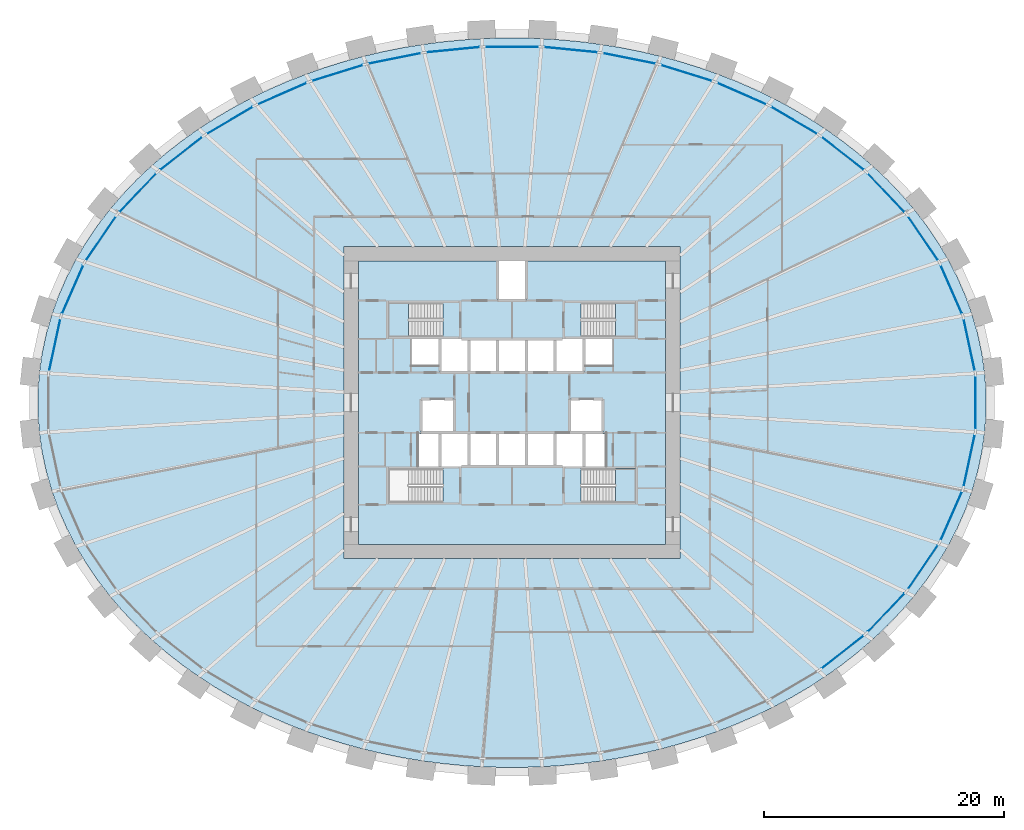
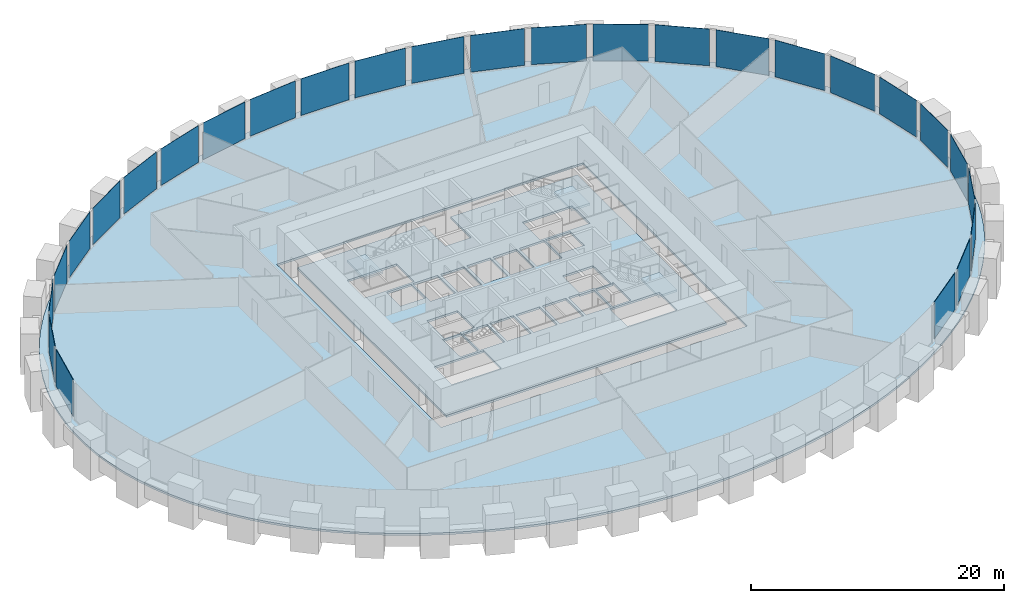
# One storey, part 5 of 11: 27 plates, 5 slabs, 4 elements without a shape of their own.
"""IFC4 building model written with IfcOpenShell, lengths in metres."""

from ifc_helpers import new_model, si_unit, direction, frame, origin, origin_2d, place, context, subcontext, project, spatial, polyline, rectangle, outline, extrude, source, transform, mapped, material, layer, layer_set, type_object, element, aggregate, save


model = new_model("IFC4")

# Units and contexts
model_context = context("Model", 3, precision=1e-05, world=origin(), true_north=direction((0.0, 1.0)))
body_context = subcontext(model_context, "Body", "Model", "MODEL_VIEW")
ifc_project = project(units=[si_unit("LENGTHUNIT", "METRE"), si_unit("AREAUNIT", "SQUARE_METRE"), si_unit("VOLUMEUNIT", "CUBIC_METRE"), si_unit("PLANEANGLEUNIT", "RADIAN"), si_unit("MASSUNIT", "GRAM", prefix="KILO")], contexts=[model_context])

# Site, building, storey
site_placement = place(None, origin())
site = spatial("IfcSite", under=ifc_project, at=site_placement, CompositionType="ELEMENT")
building_placement = place(site_placement, origin())
building = spatial("IfcBuilding", under=site, at=building_placement, Name="Embergate Tower", CompositionType="ELEMENT")
storey_placement = place(building_placement, frame((0.0, 0.0, 113.300048828125)))
storey = spatial("IfcBuildingStorey", under=building, at=storey_placement, Name="L24", CompositionType="ELEMENT", Elevation=113.300048828125)

# Slab
ifc_material_1 = material(Name="Concrete C40", Category="concrete")
ifc_layer_1 = layer(ifc_material_1, 0.199951171875)
ifc_layer_set_1 = layer_set([ifc_layer_1], Name="Concrete C40")
slab_type_1 = type_object("IfcSlabType", Name="Composite floor slab C40 200", PredefinedType="FLOOR", material=ifc_layer_set_1)
shared_shape_1 = source(origin(), body_context, "Body", "SweptSolid", [
    extrude(outline(polyline([(0.0, 0.0), (1.671875, 0.0), (3.3408203125, 0.053955078125), (5.011962890625, 0.162841796875), (6.675048828125, 0.326904296875), (8.327880859375, 0.5439453125), (9.98291015625, 0.81884765625), (11.621826171875, 1.14697265625), (13.240966796875, 1.530029296875), (14.863037109375, 1.972900390625), (16.458984375, 2.469970703125), (18.02490234375, 3.02001953125), (19.593017578125, 3.635986328125), (21.1240234375, 4.304931640625), (22.614990234375, 5.02685546875), (24.10498046875, 5.822021484375), (25.544921875, 6.6689453125), (26.932861328125, 7.56591796875), (28.31298828125, 8.544921875), (29.6298828125, 9.572998046875), (30.8818359375, 10.64794921875), (32.11083984375, 11.81201171875), (33.263916015625, 13.02099609375), (34.337890625, 14.27197265625), (35.367919921875, 15.614013671875), (36.306884765625, 16.994873046875), (37.15283203125, 18.411865234375), (37.927978515625, 19.911865234375), (38.598876953125, 21.44091796875), (39.162841796875, 22.995849609375), (39.62890625, 24.61083984375), (39.98095703125, 26.242919921875), (40.2158203125, 27.886962890625), (40.3349609375, 29.553955078125), (40.3349609375, 31.223876953125), (40.2158203125, 32.890869140625), (39.98095703125, 34.534912109375), (39.62890625, 36.1669921875), (39.162841796875, 37.781982421875), (38.598876953125, 39.3369140625), (37.927978515625, 40.865966796875), (37.15283203125, 42.365966796875), (36.306884765625, 43.782958984375), (35.367919921875, 45.163818359375), (34.337890625, 46.505859375), (33.263916015625, 47.7568359375), (32.11083984375, 48.9658203125), (30.8818359375, 50.1298828125), (29.6298828125, 51.204833984375), (28.31298828125, 52.23291015625), (26.932861328125, 53.2119140625), (25.544921875, 54.10888671875), (24.10498046875, 54.955810546875), (22.614990234375, 55.7509765625), (21.1240234375, 56.472900390625), (19.593017578125, 57.141845703125), (18.02490234375, 57.7578125), (16.458984375, 58.307861328125), (14.863037109375, 58.804931640625), (13.240966796875, 59.247802734375), (11.621826171875, 59.630859375), (9.98291015625, 59.958984375), (8.327880859375, 60.23388671875), (6.675048828125, 60.450927734375), (5.011962890625, 60.614990234375), (3.3408203125, 60.723876953125), (1.671875, 60.77783203125), (0.0, 60.77783203125), (-1.6689453125, 60.723876953125), (-3.340087890625, 60.614990234375), (-5.003173828125, 60.450927734375), (-6.656005859375, 60.23388671875), (-8.31103515625, 59.958984375), (-9.949951171875, 59.630859375), (-11.569091796875, 59.247802734375), (-13.191162109375, 58.804931640625), (-14.787109375, 58.307861328125), (-16.35302734375, 57.7578125), (-17.921142578125, 57.141845703125), (-19.4521484375, 56.472900390625), (-20.943115234375, 55.7509765625), (-22.43310546875, 54.955810546875), (-23.873046875, 54.10888671875), (-25.260986328125, 53.2119140625), (-26.64111328125, 52.23291015625), (-27.9580078125, 51.204833984375), (-29.2099609375, 50.1298828125), (-30.43896484375, 48.9658203125), (-31.592041015625, 47.7568359375), (-32.666015625, 46.505859375), (-33.696044921875, 45.163818359375), (-34.635009765625, 43.782958984375), (-35.48095703125, 42.365966796875), (-36.256103515625, 40.865966796875), (-36.927001953125, 39.3369140625), (-37.490966796875, 37.781982421875), (-37.95703125, 36.1669921875), (-38.30908203125, 34.534912109375), (-38.5439453125, 32.890869140625), (-38.6630859375, 31.223876953125), (-38.6630859375, 29.553955078125), (-38.5439453125, 27.886962890625), (-38.30908203125, 26.242919921875), (-37.95703125, 24.61083984375), (-37.490966796875, 22.995849609375), (-36.927001953125, 21.44091796875), (-36.256103515625, 19.911865234375), (-35.48095703125, 18.411865234375), (-34.635009765625, 16.994873046875), (-33.696044921875, 15.614013671875), (-32.666015625, 14.27197265625), (-31.592041015625, 13.02099609375), (-30.43896484375, 11.81201171875), (-29.2099609375, 10.64794921875), (-27.9580078125, 9.572998046875), (-26.64111328125, 8.544921875), (-25.260986328125, 7.56591796875), (-23.873046875, 6.6689453125), (-22.43310546875, 5.822021484375), (-20.943115234375, 5.02685546875), (-19.4521484375, 4.304931640625), (-17.921142578125, 3.635986328125), (-16.35302734375, 3.02001953125), (-14.787109375, 2.469970703125), (-13.191162109375, 1.972900390625), (-11.569091796875, 1.530029296875), (-9.949951171875, 1.14697265625), (-8.31103515625, 0.81884765625), (-6.656005859375, 0.5439453125), (-5.003173828125, 0.326904296875), (-3.340087890625, 0.162841796875), (-1.6689453125, 0.053955078125), (0.0, 0.0)]), holes=[polyline([(-13.1640625, 17.388916015625), (-13.1640625, 43.388916015625), (14.8359375, 43.388916015625), (14.8359375, 17.388916015625), (-13.1640625, 17.388916015625)])]), origin(), (0.0, 0.0, 1.0), 0.199951171875),
])
slab_1_placement = place(storey_placement, frame((-0.8359375, -30.388916015625, -0.199951171875)))
element("IfcSlab", 1, at=slab_1_placement, inside=storey, type_object=slab_type_1, Name="SLB-L24-00", PredefinedType="FLOOR", context=body_context, shape_type="MappedRepresentation", body=[
    mapped(shared_shape_1, transform((0.0, 0.0, 0.0))),
])

# Curtain wall, plates
ifc_material_2 = material(Name="Aluminium and glass", Category="aluminium")
curtain_wall_type = type_object("IfcCurtainWallType", Name="Recessed office glazing", PredefinedType="NOTDEFINED", material=ifc_material_2)
curtain_wall_placement = place(storey_placement, origin())
curtain_wall = element("IfcCurtainWall", 2, at=curtain_wall_placement, inside=storey, type_object=curtain_wall_type, Name="Recessed office glazing ring", ObjectType="RECESSED OFFICE GLAZING", PredefinedType="USERDEFINED")
ifc_material_3 = material(Name="Triple glazing, low-emissivity coating", Category="glass")
ifc_layer_2 = layer(ifc_material_3, 0.035888671875)
ifc_layer_set_2 = layer_set([ifc_layer_2], Name="Triple glazing, low-emissivity coating")
plate_type = type_object("IfcPlateType", Name="Office glazing unit", PredefinedType="CURTAIN_PANEL", material=ifc_layer_set_2)
shared_shape_2 = source(origin(), body_context, "Body", "SweptSolid", [
    extrude(rectangle(XDim=4.37890625, YDim=0.035888671875, at=origin_2d()), origin(), (0.0, 0.0, 1.0), 3.550048828125),
])
plate_1_placement = place(storey_placement, frame((31.18408203125, 17.4873046875, 0.14990234375), z_axis=(0.0, 0.0, 1.0), x_axis=(-0.690129995266, 0.723685421737, 0.0)))
plate_1 = element("IfcPlate", 3, at=plate_1_placement, type_object=plate_type, Name="CW panel 4.1", PredefinedType="CURTAIN_PANEL", context=body_context, shape_type="MappedRepresentation", body=[
    mapped(shared_shape_2, transform((0.0, 0.0, 0.0))),
])
plate_2_placement = place(storey_placement, frame((-31.18408203125, 17.4873046875, 0.14990234375), z_axis=(0.0, 0.0, 1.0), x_axis=(-0.690129995266, -0.723685421737, 0.0)))
plate_2 = element("IfcPlate", 4, at=plate_2_placement, type_object=plate_type, Name="CW panel 18.1", PredefinedType="CURTAIN_PANEL", context=body_context, shape_type="MappedRepresentation", body=[
    mapped(shared_shape_2, transform((0.0, 0.0, 0.0))),
])
plate_3_placement = place(storey_placement, frame((31.18408203125, -17.4873046875, 0.14990234375), z_axis=(0.0, 0.0, 1.0), x_axis=(0.690129995266, 0.723685421737, 0.0)))
plate_3 = element("IfcPlate", 5, at=plate_3_placement, type_object=plate_type, Name="CW panel 40.1", PredefinedType="CURTAIN_PANEL", context=body_context, shape_type="MappedRepresentation", body=[
    mapped(shared_shape_2, transform((0.0, 0.0, 0.0))),
])
shared_shape_3 = source(origin(), body_context, "Body", "SweptSolid", [
    extrude(rectangle(XDim=4.354248046875, YDim=0.035888671875, at=origin_2d()), origin(), (0.0, 0.0, 1.0), 3.550048828125),
])
plate_4_placement = place(storey_placement, frame((38.09765625, 4.818359375, 0.14990234375), z_axis=(0.0, 0.0, 1.0), x_axis=(-0.210394978653, 0.977616465163, 0.0)))
plate_4 = element("IfcPlate", 6, at=plate_4_placement, type_object=plate_type, Name="CW panel 1.1", PredefinedType="CURTAIN_PANEL", context=body_context, shape_type="MappedRepresentation", body=[
    mapped(shared_shape_3, transform((0.0, 0.0, 0.0))),
])
plate_5_placement = place(storey_placement, frame((-38.09765625, 4.818359375, 0.14990234375), z_axis=(0.0, 0.0, 1.0), x_axis=(-0.210394978653, -0.977616465163, 0.0)))
plate_5 = element("IfcPlate", 7, at=plate_5_placement, type_object=plate_type, Name="CW panel 21.1", PredefinedType="CURTAIN_PANEL", context=body_context, shape_type="MappedRepresentation", body=[
    mapped(shared_shape_3, transform((0.0, 0.0, 0.0))),
])
plate_6_placement = place(storey_placement, frame((38.09765625, -4.818359375, 0.14990234375), z_axis=(0.0, 0.0, 1.0), x_axis=(0.210394978653, 0.977616465163, 0.0)))
plate_6 = element("IfcPlate", 8, at=plate_6_placement, type_object=plate_type, Name="CW panel 43.1", PredefinedType="CURTAIN_PANEL", context=body_context, shape_type="MappedRepresentation", body=[
    mapped(shared_shape_3, transform((0.0, 0.0, 0.0))),
])
shared_shape_4 = source(origin(), body_context, "Body", "SweptSolid", [
    extrude(rectangle(XDim=4.361083984375, YDim=0.035888671875, at=origin_2d()), origin(), (0.0, 0.0, 1.0), 3.550048828125),
])
plate_7_placement = place(storey_placement, frame((36.604736328125, 9.435791015625, 0.14990234375), z_axis=(0.0, 0.0, 1.0), x_axis=(-0.401647306074, 0.915794431913, 0.0)))
plate_7 = element("IfcPlate", 9, at=plate_7_placement, type_object=plate_type, Name="CW panel 2.1", PredefinedType="CURTAIN_PANEL", context=body_context, shape_type="MappedRepresentation", body=[
    mapped(shared_shape_4, transform((0.0, 0.0, 0.0))),
])
plate_8_placement = place(storey_placement, frame((-36.604736328125, 9.435791015625, 0.14990234375), z_axis=(0.0, 0.0, 1.0), x_axis=(-0.401647306074, -0.915794431913, 0.0)))
plate_8 = element("IfcPlate", 10, at=plate_8_placement, type_object=plate_type, Name="CW panel 20.1", PredefinedType="CURTAIN_PANEL", context=body_context, shape_type="MappedRepresentation", body=[
    mapped(shared_shape_4, transform((0.0, 0.0, 0.0))),
])
plate_9_placement = place(storey_placement, frame((36.604736328125, -9.435791015625, 0.14990234375), z_axis=(0.0, 0.0, 1.0), x_axis=(0.401647306074, 0.915794431913, 0.0)))
plate_9 = element("IfcPlate", 11, at=plate_9_placement, type_object=plate_type, Name="CW panel 42.1", PredefinedType="CURTAIN_PANEL", context=body_context, shape_type="MappedRepresentation", body=[
    mapped(shared_shape_4, transform((0.0, 0.0, 0.0))),
])
shared_shape_5 = source(origin(), body_context, "Body", "SweptSolid", [
    extrude(rectangle(XDim=4.3701171875, YDim=0.035888671875, at=origin_2d()), origin(), (0.0, 0.0, 1.0), 3.550048828125),
])
plate_10_placement = place(storey_placement, frame((34.24951171875, 13.69287109375, 0.14990234375), z_axis=(0.0, 0.0, 1.0), x_axis=(-0.562337412243, 0.826907875638, 0.0)))
plate_10 = element("IfcPlate", 12, at=plate_10_placement, type_object=plate_type, Name="CW panel 3.1", PredefinedType="CURTAIN_PANEL", context=body_context, shape_type="MappedRepresentation", body=[
    mapped(shared_shape_5, transform((0.0, 0.0, 0.0))),
])
plate_11_placement = place(storey_placement, frame((-34.24951171875, 13.69287109375, 0.14990234375), z_axis=(0.0, 0.0, 1.0), x_axis=(-0.562337412243, -0.826907875638, 0.0)))
plate_11 = element("IfcPlate", 13, at=plate_11_placement, type_object=plate_type, Name="CW panel 19.1", PredefinedType="CURTAIN_PANEL", context=body_context, shape_type="MappedRepresentation", body=[
    mapped(shared_shape_5, transform((0.0, 0.0, 0.0))),
])
plate_12_placement = place(storey_placement, frame((34.24951171875, -13.69287109375, 0.14990234375), z_axis=(0.0, 0.0, 1.0), x_axis=(0.562337412243, 0.826907875638, 0.0)))
plate_12 = element("IfcPlate", 14, at=plate_12_placement, type_object=plate_type, Name="CW panel 41.1", PredefinedType="CURTAIN_PANEL", context=body_context, shape_type="MappedRepresentation", body=[
    mapped(shared_shape_5, transform((0.0, 0.0, 0.0))),
])
shared_shape_6 = source(origin(), body_context, "Body", "SweptSolid", [
    extrude(rectangle(XDim=4.386474609375, YDim=0.035888671875, at=origin_2d()), origin(), (0.0, 0.0, 1.0), 3.550048828125),
])
plate_13_placement = place(storey_placement, frame((27.559814453125, 20.769287109375, 0.14990234375), z_axis=(0.0, 0.0, 1.0), x_axis=(-0.788316897722, 0.615269427784, 0.0)))
plate_13 = element("IfcPlate", 15, at=plate_13_placement, type_object=plate_type, Name="CW panel 5.1", PredefinedType="CURTAIN_PANEL", context=body_context, shape_type="MappedRepresentation", body=[
    mapped(shared_shape_6, transform((0.0, 0.0, 0.0))),
])
plate_14_placement = place(storey_placement, frame((-27.559814453125, 20.769287109375, 0.14990234375), z_axis=(0.0, 0.0, 1.0), x_axis=(-0.788316897722, -0.615269427784, 0.0)))
plate_14 = element("IfcPlate", 16, at=plate_14_placement, type_object=plate_type, Name="CW panel 17.1", PredefinedType="CURTAIN_PANEL", context=body_context, shape_type="MappedRepresentation", body=[
    mapped(shared_shape_6, transform((0.0, 0.0, 0.0))),
])
plate_15_placement = place(storey_placement, frame((27.559814453125, -20.769287109375, 0.14990234375), z_axis=(0.0, 0.0, 1.0), x_axis=(0.788316897722, 0.615269427784, 0.0)))
plate_15 = element("IfcPlate", 17, at=plate_15_placement, type_object=plate_type, Name="CW panel 39.1", PredefinedType="CURTAIN_PANEL", context=body_context, shape_type="MappedRepresentation", body=[
    mapped(shared_shape_6, transform((0.0, 0.0, 0.0))),
])
shared_shape_7 = source(origin(), body_context, "Body", "SweptSolid", [
    extrude(rectangle(XDim=4.392333984375, YDim=0.035888671875, at=origin_2d()), origin(), (0.0, 0.0, 1.0), 3.550048828125),
])
plate_16_placement = place(storey_placement, frame((23.508544921875, 23.5234375, 0.14990234375), z_axis=(0.0, 0.0, 1.0), x_axis=(-0.862050514108, 0.506822366443, 0.0)))
plate_16 = element("IfcPlate", 18, at=plate_16_placement, type_object=plate_type, Name="CW panel 6.1", PredefinedType="CURTAIN_PANEL", context=body_context, shape_type="MappedRepresentation", body=[
    mapped(shared_shape_7, transform((0.0, 0.0, 0.0))),
])
plate_17_placement = place(storey_placement, frame((-23.508544921875, 23.5234375, 0.14990234375), z_axis=(0.0, 0.0, 1.0), x_axis=(-0.862050514108, -0.506822366443, 0.0)))
plate_17 = element("IfcPlate", 19, at=plate_17_placement, type_object=plate_type, Name="CW panel 16.1", PredefinedType="CURTAIN_PANEL", context=body_context, shape_type="MappedRepresentation", body=[
    mapped(shared_shape_7, transform((0.0, 0.0, 0.0))),
])
shared_shape_8 = source(origin(), body_context, "Body", "SweptSolid", [
    extrude(rectangle(XDim=4.39697265625, YDim=0.035888671875, at=origin_2d()), origin(), (0.0, 0.0, 1.0), 3.550048828125),
])
plate_18_placement = place(storey_placement, frame((19.138671875, 25.75341796875, 0.14990234375), z_axis=(0.0, 0.0, 1.0), x_axis=(-0.91623411399, 0.400643293168, 0.0)))
plate_18 = element("IfcPlate", 20, at=plate_18_placement, type_object=plate_type, Name="CW panel 7.1", PredefinedType="CURTAIN_PANEL", context=body_context, shape_type="MappedRepresentation", body=[
    mapped(shared_shape_8, transform((0.0, 0.0, 0.0))),
])
plate_19_placement = place(storey_placement, frame((-19.138671875, 25.75341796875, 0.14990234375), z_axis=(0.0, 0.0, 1.0), x_axis=(-0.91623411399, -0.400643293168, 0.0)))
plate_19 = element("IfcPlate", 21, at=plate_19_placement, type_object=plate_type, Name="CW panel 15.1", PredefinedType="CURTAIN_PANEL", context=body_context, shape_type="MappedRepresentation", body=[
    mapped(shared_shape_8, transform((0.0, 0.0, 0.0))),
])
shared_shape_9 = source(origin(), body_context, "Body", "SweptSolid", [
    extrude(rectangle(XDim=4.400146484375, YDim=0.035888671875, at=origin_2d()), origin(), (0.0, 0.0, 1.0), 3.550048828125),
])
plate_20_placement = place(storey_placement, frame((14.537353515625, 27.4697265625, 0.14990234375), z_axis=(0.0, 0.0, 1.0), x_axis=(-0.954771179262, 0.297341546458, 0.0)))
plate_20 = element("IfcPlate", 22, at=plate_20_placement, type_object=plate_type, Name="CW panel 8.1", PredefinedType="CURTAIN_PANEL", context=body_context, shape_type="MappedRepresentation", body=[
    mapped(shared_shape_9, transform((0.0, 0.0, 0.0))),
])
plate_21_placement = place(storey_placement, frame((-14.537353515625, 27.4697265625, 0.14990234375), z_axis=(0.0, 0.0, 1.0), x_axis=(-0.954771179262, -0.297341546458, 0.0)))
plate_21 = element("IfcPlate", 23, at=plate_21_placement, type_object=plate_type, Name="CW panel 14.1", PredefinedType="CURTAIN_PANEL", context=body_context, shape_type="MappedRepresentation", body=[
    mapped(shared_shape_9, transform((0.0, 0.0, 0.0))),
])
shared_shape_10 = source(origin(), body_context, "Body", "SweptSolid", [
    extrude(rectangle(XDim=4.40234375, YDim=0.035888671875, at=origin_2d()), origin(), (0.0, 0.0, 1.0), 3.550048828125),
])
plate_22_placement = place(storey_placement, frame((9.775390625, 28.685302734375, 0.14990234375), z_axis=(0.0, 0.0, 1.0), x_axis=(-0.980475221003, 0.196642673395, 0.0)))
plate_22 = element("IfcPlate", 24, at=plate_22_placement, type_object=plate_type, Name="CW panel 9.1", PredefinedType="CURTAIN_PANEL", context=body_context, shape_type="MappedRepresentation", body=[
    mapped(shared_shape_10, transform((0.0, 0.0, 0.0))),
])
plate_23_placement = place(storey_placement, frame((-9.775390625, 28.685302734375, 0.14990234375), z_axis=(0.0, 0.0, 1.0), x_axis=(-0.980475221003, -0.196642673395, 0.0)))
plate_23 = element("IfcPlate", 25, at=plate_23_placement, type_object=plate_type, Name="CW panel 13.1", PredefinedType="CURTAIN_PANEL", context=body_context, shape_type="MappedRepresentation", body=[
    mapped(shared_shape_10, transform((0.0, 0.0, 0.0))),
])
shared_shape_11 = source(origin(), body_context, "Body", "SweptSolid", [
    extrude(rectangle(XDim=4.40380859375, YDim=0.035888671875, at=origin_2d()), origin(), (0.0, 0.0, 1.0), 3.550048828125),
])
plate_24_placement = place(storey_placement, frame((4.912109375, 29.41015625, 0.14990234375), z_axis=(0.0, 0.0, 1.0), x_axis=(-0.995203014042, 0.097831287645, 0.0)))
plate_24 = element("IfcPlate", 26, at=plate_24_placement, type_object=plate_type, Name="CW panel 10.1", PredefinedType="CURTAIN_PANEL", context=body_context, shape_type="MappedRepresentation", body=[
    mapped(shared_shape_11, transform((0.0, 0.0, 0.0))),
])
plate_25_placement = place(storey_placement, frame((-4.912109375, 29.41015625, 0.14990234375), z_axis=(0.0, 0.0, 1.0), x_axis=(-0.995203014042, -0.097831287645, 0.0)))
plate_25 = element("IfcPlate", 27, at=plate_25_placement, type_object=plate_type, Name="CW panel 12.1", PredefinedType="CURTAIN_PANEL", context=body_context, shape_type="MappedRepresentation", body=[
    mapped(shared_shape_11, transform((0.0, 0.0, 0.0))),
])
shared_shape_12 = source(origin(), body_context, "Body", "SweptSolid", [
    extrude(rectangle(XDim=4.404052734375, YDim=0.035888671875, at=origin_2d()), origin(), (0.0, 0.0, 1.0), 3.550048828125),
])
plate_26_placement = place(storey_placement, frame((0.0, 29.65087890625, 0.14990234375), z_axis=(0.0, 0.0, 1.0), x_axis=(-1.0, 0.0, 0.0)))
plate_26 = element("IfcPlate", 28, at=plate_26_placement, type_object=plate_type, Name="CW panel 11.1", PredefinedType="CURTAIN_PANEL", context=body_context, shape_type="MappedRepresentation", body=[
    mapped(shared_shape_12, transform((0.0, 0.0, 0.0))),
])
shared_shape_13 = source(origin(), body_context, "Body", "SweptSolid", [
    extrude(rectangle(XDim=4.3515625, YDim=0.035888671875, at=origin_2d()), origin(), (0.0, 0.0, 1.0), 3.550048828125),
])
plate_27_placement = place(storey_placement, frame((38.610595703125, 0.0, 0.14990234375), z_axis=(0.0, 0.0, 1.0), x_axis=(0.0, 1.0, 0.0)))
plate_27 = element("IfcPlate", 29, at=plate_27_placement, type_object=plate_type, Name="CW panel 44.1", PredefinedType="CURTAIN_PANEL", context=body_context, shape_type="MappedRepresentation", body=[
    mapped(shared_shape_13, transform((0.0, 0.0, 0.0))),
])
aggregate(curtain_wall, [plate_4, plate_7, plate_10, plate_1, plate_13, plate_16, plate_18, plate_20, plate_22, plate_24, plate_26, plate_25, plate_23, plate_21, plate_19, plate_17, plate_14, plate_2, plate_11, plate_8, plate_5, plate_15, plate_3, plate_12, plate_9, plate_6, plate_27])

# Stair, slab
ifc_material_4 = material(Name="Exit stair")
stair_type = type_object("IfcStairType", Name="Exit stair", PredefinedType="HALF_TURN_STAIR", material=ifc_material_4)
stair_1_placement = place(storey_placement, origin())
stair_1 = element("IfcStair", 30, at=stair_1_placement, inside=storey, type_object=stair_type, Name="L24 Exit stair 1", PredefinedType="HALF_TURN_STAIR")
ifc_layer_3 = layer(ifc_material_1, 0.199951171875)
ifc_layer_set_3 = layer_set([ifc_layer_3], Name="Concrete C40")
slab_type_2 = type_object("IfcSlabType", Name="Stair landing reinforced concrete", PredefinedType="LANDING", material=ifc_layer_set_3)
shared_shape_14 = source(origin(), body_context, "Body", "SweptSolid", [
    extrude(outline(polyline([(0.0, 0.0), (1.68994140625, 0.0), (1.68994140625, 2.800048828125), (0.0, 2.800048828125), (0.0, 0.0)])), origin(), (0.0, 0.0, 1.0), 0.199951171875),
])
slab_2_placement = place(storey_placement, frame((-10.300048828125, 5.5, 1.75)))
slab_2 = element("IfcSlab", 31, at=slab_2_placement, type_object=slab_type_2, Name="ST1 landing 1", PredefinedType="LANDING", context=body_context, shape_type="MappedRepresentation", body=[
    mapped(shared_shape_14, transform((0.0, 0.0, 0.0))),
])
aggregate(stair_1, [slab_2])

stair_2_placement = place(storey_placement, origin())
stair_2 = element("IfcStair", 32, at=stair_2_placement, inside=storey, type_object=stair_type, Name="L24 Exit stair 2", PredefinedType="HALF_TURN_STAIR")
slab_3_placement = place(storey_placement, frame((8.610107421875, 5.5, 1.75)))
slab_3 = element("IfcSlab", 33, at=slab_3_placement, type_object=slab_type_2, Name="ST2 landing 1", PredefinedType="LANDING", context=body_context, shape_type="MappedRepresentation", body=[
    mapped(shared_shape_14, transform((0.0, 0.0, 0.0))),
])
aggregate(stair_2, [slab_3])

stair_3_placement = place(storey_placement, origin())
stair_3 = element("IfcStair", 34, at=stair_3_placement, inside=storey, type_object=stair_type, Name="L24 Exit stair 4", PredefinedType="HALF_TURN_STAIR")
slab_4_placement = place(storey_placement, frame((8.610107421875, -8.300048828125, 1.75)))
slab_4 = element("IfcSlab", 35, at=slab_4_placement, type_object=slab_type_2, Name="ST4 landing 1", PredefinedType="LANDING", context=body_context, shape_type="MappedRepresentation", body=[
    mapped(shared_shape_14, transform((0.0, 0.0, 0.0))),
])
aggregate(stair_3, [slab_4])

# Slab
ifc_layer_4 = layer(ifc_material_1, 0.199951171875)
ifc_layer_set_4 = layer_set([ifc_layer_4], Name="Concrete C40")
slab_type_3 = type_object("IfcSlabType", Name="Core floor slab 200 reinforced concrete", PredefinedType="FLOOR", material=ifc_layer_set_4)
shared_shape_15 = source(origin(), body_context, "Body", "SweptSolid", [
    extrude(outline(polyline([(0.0, 0.0), (25.60009765625, 0.0), (25.60009765625, 23.60009765625), (14.0, 23.60009765625), (14.0, 20.300048828125), (11.60009765625, 20.300048828125), (11.60009765625, 23.60009765625), (0.0, 23.60009765625), (0.0, 0.0)]), holes=[polyline([(2.5, 3.5), (2.5, 6.300048828125), (7.0400390625, 6.300048828125), (7.0400390625, 3.5), (2.5, 3.5)]), polyline([(18.56005859375, 3.5), (18.56005859375, 6.300048828125), (23.10009765625, 6.300048828125), (23.10009765625, 3.5), (18.56005859375, 3.5)]), polyline([(5.0, 6.5), (5.0, 9.300048828125), (5.074951171875, 9.300048828125), (5.074951171875, 9.175048828125), (6.675048828125, 9.175048828125), (6.675048828125, 6.5), (5.0, 6.5)]), polyline([(6.800048828125, 6.5), (6.800048828125, 9.175048828125), (8.125, 9.175048828125), (8.125, 9.300048828125), (9.074951171875, 9.300048828125), (9.074951171875, 6.5), (6.800048828125, 6.5)]), polyline([(9.324951171875, 6.5), (9.324951171875, 9.300048828125), (11.47509765625, 9.300048828125), (11.47509765625, 6.5), (9.324951171875, 6.5)]), polyline([(11.72509765625, 6.5), (11.72509765625, 9.300048828125), (13.875, 9.300048828125), (13.875, 6.5), (11.72509765625, 6.5)]), polyline([(14.125, 6.5), (14.125, 9.300048828125), (16.275146484375, 9.300048828125), (16.275146484375, 6.5), (14.125, 6.5)]), polyline([(16.525146484375, 6.5), (16.525146484375, 9.300048828125), (17.47509765625, 9.300048828125), (17.47509765625, 9.175048828125), (18.800048828125, 9.175048828125), (18.800048828125, 6.5), (16.525146484375, 6.5)]), polyline([(18.925048828125, 6.5), (18.925048828125, 9.175048828125), (20.525146484375, 9.175048828125), (20.525146484375, 9.300048828125), (20.60009765625, 9.300048828125), (20.60009765625, 6.5), (18.925048828125, 6.5)]), polyline([(5.199951171875, 9.300048828125), (5.199951171875, 12.10009765625), (8.0, 12.10009765625), (8.0, 9.425048828125), (6.675048828125, 9.425048828125), (6.675048828125, 9.300048828125), (5.199951171875, 9.300048828125)]), polyline([(18.925048828125, 9.300048828125), (18.925048828125, 9.425048828125), (17.60009765625, 9.425048828125), (17.60009765625, 12.10009765625), (20.400146484375, 12.10009765625), (20.400146484375, 9.300048828125), (18.925048828125, 9.300048828125)]), polyline([(6.800048828125, 14.300048828125), (6.800048828125, 17.10009765625), (9.074951171875, 17.10009765625), (9.074951171875, 14.300048828125), (6.800048828125, 14.300048828125)]), polyline([(9.324951171875, 14.300048828125), (9.324951171875, 17.10009765625), (11.47509765625, 17.10009765625), (11.47509765625, 14.300048828125), (9.324951171875, 14.300048828125)]), polyline([(11.72509765625, 14.300048828125), (11.72509765625, 17.10009765625), (13.875, 17.10009765625), (13.875, 14.300048828125), (11.72509765625, 14.300048828125)]), polyline([(14.125, 14.300048828125), (14.125, 17.10009765625), (16.275146484375, 17.10009765625), (16.275146484375, 14.300048828125), (14.125, 14.300048828125)]), polyline([(16.525146484375, 14.300048828125), (16.525146484375, 17.10009765625), (18.800048828125, 17.10009765625), (18.800048828125, 14.300048828125), (16.525146484375, 14.300048828125)]), polyline([(4.400146484375, 14.900146484375), (4.400146484375, 17.10009765625), (6.675048828125, 17.10009765625), (6.675048828125, 14.900146484375), (4.400146484375, 14.900146484375)]), polyline([(18.925048828125, 14.900146484375), (18.925048828125, 17.10009765625), (21.199951171875, 17.10009765625), (21.199951171875, 14.900146484375), (18.925048828125, 14.900146484375)]), polyline([(2.5, 17.300048828125), (2.5, 20.10009765625), (7.0400390625, 20.10009765625), (7.0400390625, 17.300048828125), (2.5, 17.300048828125)]), polyline([(18.56005859375, 17.300048828125), (18.56005859375, 20.10009765625), (23.10009765625, 20.10009765625), (23.10009765625, 17.300048828125), (18.56005859375, 17.300048828125)])]), origin(), (0.0, 0.0, 1.0), 0.199951171875),
])
slab_5_placement = place(storey_placement, frame((-12.800048828125, -11.800048828125, -0.199951171875)))
element("IfcSlab", 36, at=slab_5_placement, inside=storey, type_object=slab_type_3, Name="Core floor slab", PredefinedType="FLOOR", context=body_context, shape_type="MappedRepresentation", body=[
    mapped(shared_shape_15, transform((0.0, 0.0, 0.0))),
])

save(model, "model.ifc")
